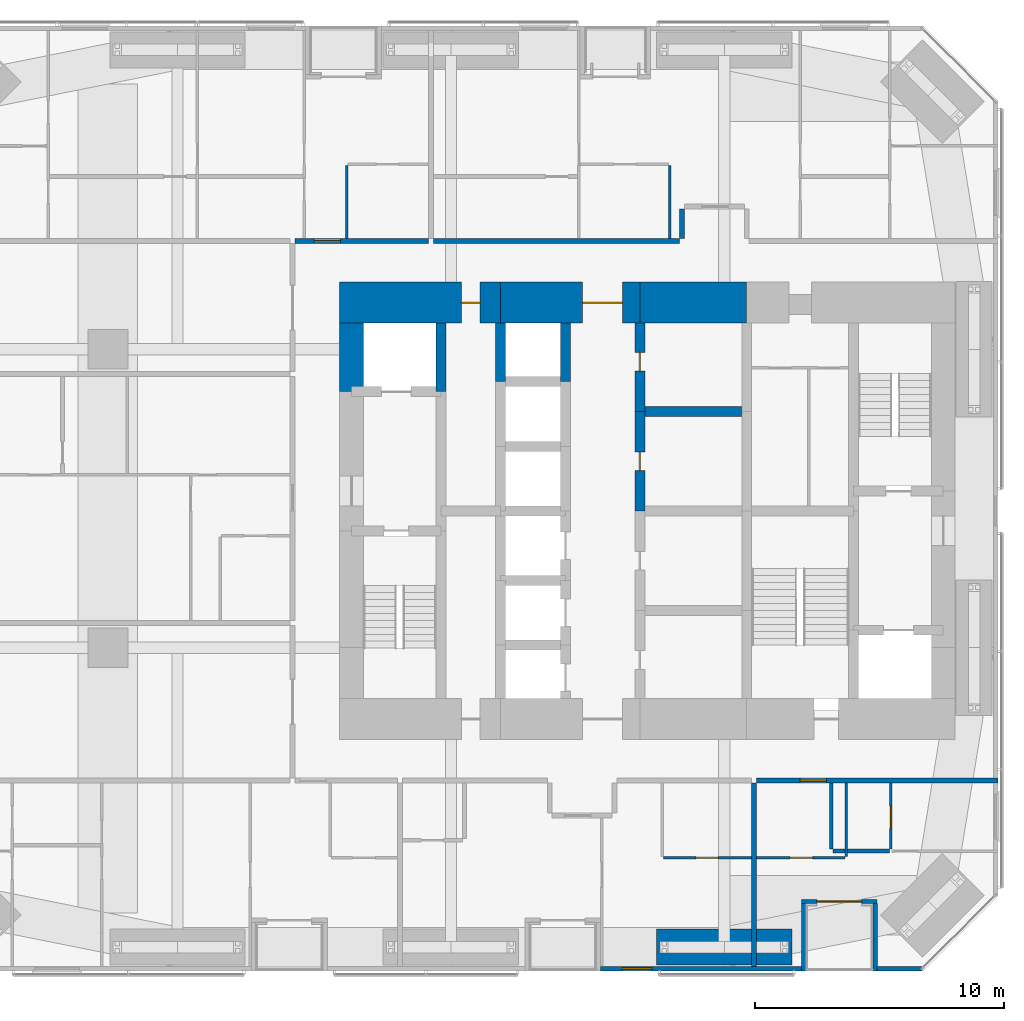
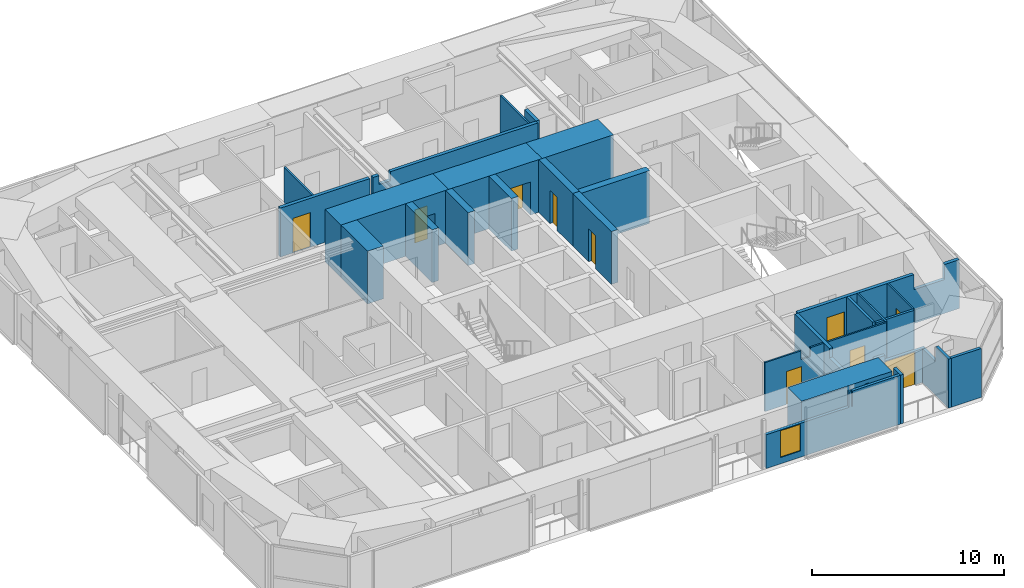
# One storey, part 19 of 23: 30 walls, 10 doors, 1 window, 11 openings.
"""IFC4 building model written with IfcOpenShell, lengths in metres."""

from ifc_helpers import new_model, si_unit, direction, frame, frame_2d, origin, place, context, subcontext, project, spatial, polyline, rectangle, outline, extrude, material, layer, layer_set, constituent, constituent_set, type_object, element, fill, save


model = new_model("IFC4")

# Units and contexts
model_context = context("Model", 3, precision=1e-05, world=origin(), true_north=direction((0.0, 1.0)))
body_context = subcontext(model_context, "Body", "Model", "MODEL_VIEW")
ifc_project = project(units=[si_unit("LENGTHUNIT", "METRE"), si_unit("AREAUNIT", "SQUARE_METRE"), si_unit("VOLUMEUNIT", "CUBIC_METRE"), si_unit("PLANEANGLEUNIT", "RADIAN"), si_unit("MASSUNIT", "GRAM", prefix="KILO")], contexts=[model_context])

# Site, building, storey
site_placement = place(None, origin())
site = spatial("IfcSite", under=ifc_project, at=site_placement, CompositionType="ELEMENT")
building_placement = place(site_placement, origin())
building = spatial("IfcBuilding", under=site, at=building_placement, Name="Jalousie Tower", CompositionType="ELEMENT")
storey_placement = place(building_placement, frame((0.0, 0.0, 34.39990234375)))
storey = spatial("IfcBuildingStorey", under=building, at=storey_placement, Name="L08", CompositionType="ELEMENT", Elevation=34.39990234375)

# Walls
ifc_material_1 = material(Name="Concrete block ASTM C90", Category="concrete")
ifc_constituent_1 = constituent(ifc_material_1, Name="Body")
ifc_material_2 = material(Name="Render")
ifc_constituent_2 = constituent(ifc_material_2, Name="Finish")
ifc_constituent_set_1 = constituent_set(constituents=[ifc_constituent_1, ifc_constituent_2])
wall_type_1 = type_object("IfcWallType", Name="BATHROOM WALL 150", PredefinedType="PLUMBINGWALL", material=ifc_constituent_set_1)
wall_1_placement = place(storey_placement, frame((39.375, 4.8173828125, 0.0), z_axis=(0.0, 0.0, 1.0), x_axis=(1.0, 0.0, 0.0)))
element("IfcWall", 1, at=wall_1_placement, inside=storey, type_object=wall_type_1, Name="Bathroom Wall 150 L08", PredefinedType="PLUMBINGWALL", context=body_context, shape_type="SweptSolid", body=[
    extrude(rectangle(XDim=2.27490234375, YDim=0.14990234375, at=frame_2d((1.137451171875, 0.0))), origin(), (0.0, 0.0, 1.0), 3.110107421875),
])
wall_2_placement = place(storey_placement, frame((39.300048828125, 4.892333984375, 0.0), z_axis=(0.0, 0.0, 1.0), x_axis=(0.0, 1.0, 0.0)))
element("IfcWall", 2, at=wall_2_placement, inside=storey, type_object=wall_type_1, Name="Bathroom Wall 150 L08", PredefinedType="PLUMBINGWALL", context=body_context, shape_type="SweptSolid", body=[
    extrude(rectangle(XDim=2.65771484375, YDim=0.14990234375, at=frame_2d((1.328857421875, 0.0))), origin(), (0.0, 0.0, 1.0), 3.110107421875),
])
ifc_material_3 = material(Name="Concrete f'c 120 MPa", Category="concrete")
ifc_layer_1 = layer(ifc_material_3, 1.64990234375)
ifc_layer_set_1 = layer_set([ifc_layer_1], Name="Concrete f'c 120 MPa")
wall_type_2 = type_object("IfcWallType", Name="CORE WALL 1650", PredefinedType="SHEAR", material=ifc_layer_set_1)
wall_3_placement = place(storey_placement, frame((35.89990234375, 26.875, 0.0), z_axis=(0.0, 0.0, 1.0), x_axis=(-1.0, 0.0, 0.0)))
element("IfcWall", 3, at=wall_3_placement, inside=storey, type_object=wall_type_2, Name="Core wall NB L08", PredefinedType="SHEAR", context=body_context, shape_type="SweptSolid", body=[
    extrude(rectangle(XDim=4.2998046875, YDim=1.64990234375, at=frame_2d((2.14990234375, 0.0))), origin(), (0.0, 0.0, 1.0), 3.35009765625),
])

# Wall, opening, door
wall_4_placement = place(storey_placement, frame((31.60009765625, 26.875, 0.0), z_axis=(0.0, 0.0, 1.0), x_axis=(-1.0, 0.0, 0.0)))
wall_4 = element("IfcWall", 4, at=wall_4_placement, inside=storey, type_object=wall_type_2, Name="Core wall NC L08", PredefinedType="SHEAR", context=body_context, shape_type="SweptSolid", body=[
    extrude(rectangle(XDim=5.60009765625, YDim=1.64990234375, at=frame_2d((2.800048828125, 0.0))), origin(), (0.0, 0.0, 1.0), 3.35009765625),
])
opening_1_placement = place(wall_4_placement, frame((0.699951171875, 0.0, 0.0)))
opening_1 = element("IfcOpeningElement", 5, at=opening_1_placement, cuts=wall_4, Name="Opening D15", PredefinedType="OPENING", context=body_context, shape_type="SweptSolid", body=[
    extrude(rectangle(XDim=1.60009765625, YDim=2.10009765625, at=frame_2d((0.800048828125, 1.050048828125))), frame((0.0, 0.8349609375, 0.0), z_axis=(0.0, -1.0, 0.0), x_axis=(1.0, 0.0, 0.0)), (0.0, 0.0, 1.0), 1.669921875),
])
ifc_material_4 = material(Name="Steel fire door", Category="steel")
door_type_1 = type_object("IfcDoorType", Name="LIFT LOBBY DOOR 1600", OperationType="DOUBLE_DOOR_SINGLE_SWING", PredefinedType="DOOR", material=ifc_material_4)
door_1_placement = place(opening_1_placement, origin())
door_1 = element("IfcDoor", 6, at=door_1_placement, inside=storey, type_object=door_type_1, Name="Lift lobby north door", OperationType="DOUBLE_DOOR_SINGLE_SWING", OverallHeight=2.10009765625, OverallWidth=1.60009765625, PredefinedType="DOOR", context=body_context, shape_type="SweptSolid", body=[
    extrude(rectangle(XDim=1.60009765625, YDim=2.10009765625, at=frame_2d((0.800048828125, 1.050048828125))), frame((0.0, 0.02490234375, 0.0), z_axis=(0.0, -1.0, 0.0), x_axis=(1.0, 0.0, 0.0)), (0.0, 0.0, 1.0), 0.050048828125),
])
fill(opening_1, door_1)

wall_5_placement = place(storey_placement, frame((26.0, 26.875, 0.0), z_axis=(0.0, 0.0, 1.0), x_axis=(-1.0, 0.0, 0.0)))
wall_5 = element("IfcWall", 7, at=wall_5_placement, inside=storey, type_object=wall_type_2, Name="Core wall ND L08", PredefinedType="SHEAR", context=body_context, shape_type="SweptSolid", body=[
    extrude(rectangle(XDim=6.47509765625, YDim=1.64990234375, at=frame_2d((3.237548828125, 0.0))), origin(), (0.0, 0.0, 1.0), 3.35009765625),
])
opening_2_placement = place(wall_5_placement, frame((0.824951171875, 0.0, 0.0)))
opening_2 = element("IfcOpeningElement", 8, at=opening_2_placement, cuts=wall_5, Name="Opening D16", PredefinedType="OPENING", context=body_context, shape_type="SweptSolid", body=[
    extrude(rectangle(XDim=0.75, YDim=2.10009765625, at=frame_2d((0.375, 1.050048828125))), frame((0.0, 0.8349609375, 0.0), z_axis=(0.0, -1.0, 0.0), x_axis=(1.0, 0.0, 0.0)), (0.0, 0.0, 1.0), 1.669921875),
])
ifc_material_5 = material(Name="Steel fire door", Category="steel")
door_type_2 = type_object("IfcDoorType", Name="RISER DOOR 750", OperationType="SINGLE_SWING_LEFT", PredefinedType="DOOR", material=ifc_material_5)
door_2_placement = place(opening_2_placement, origin())
door_2 = element("IfcDoor", 9, at=door_2_placement, inside=storey, type_object=door_type_2, Name="North riser door", OperationType="SINGLE_SWING_RIGHT", OverallHeight=2.10009765625, OverallWidth=0.75, PredefinedType="DOOR", context=body_context, shape_type="SweptSolid", body=[
    extrude(rectangle(XDim=0.75, YDim=2.10009765625, at=frame_2d((0.375, 1.050048828125))), frame((0.0, 0.02490234375, 0.0), z_axis=(0.0, -1.0, 0.0), x_axis=(1.0, 0.0, 0.0)), (0.0, 0.0, 1.0), 0.050048828125),
])
fill(opening_2, door_2)

# Walls
ifc_material_6 = material(Name="Concrete f'c 120 MPa", Category="concrete")
ifc_layer_2 = layer(ifc_material_6, 0.39990234375)
ifc_layer_set_2 = layer_set([ifc_layer_2], Name="Concrete f'c 120 MPa")
wall_type_3 = type_object("IfcWallType", Name="CORE WALL 400", PredefinedType="SHEAR", material=ifc_layer_set_2)
wall_6_placement = place(storey_placement, frame((23.60009765625, 23.300048828125, 0.0), z_axis=(0.0, 0.0, 1.0), x_axis=(0.0, 1.0, 0.0)))
element("IfcWall", 10, at=wall_6_placement, inside=storey, type_object=wall_type_3, Name="Core wall X23.6C L08", PredefinedType="SHEAR", context=body_context, shape_type="SweptSolid", body=[
    extrude(rectangle(XDim=2.75, YDim=0.39990234375, at=frame_2d((1.375, 0.0))), origin(), (0.0, 0.0, 1.0), 3.35009765625),
])
for number, where, z_axis, x_axis, name in (
    (11, (26.0, 23.699951171875, 0.0), (0.0, 0.0, 1.0), (0.0, 1.0, 0.0), "Core wall X26F L08"),
    (12, (28.60009765625, 23.699951171875, 0.0), (0.0, 0.0, 1.0), (0.0, 1.0, 0.0), "Core wall X28.6F L08"),
):
    element("IfcWall", number, at=place(storey_placement, frame(where, z_axis=z_axis, x_axis=x_axis)), inside=storey, type_object=wall_type_3, Name=name, PredefinedType="SHEAR", context=body_context, shape_type="SweptSolid", body=[
        extrude(rectangle(XDim=2.35009765625, YDim=0.39990234375, at=frame_2d((1.175048828125, 0.0))), origin(), (0.0, 0.0, 1.0), 3.35009765625),
    ])

# Wall, opening, door
wall_7_placement = place(storey_placement, frame((31.60009765625, 18.5, 0.0), z_axis=(0.0, 0.0, 1.0), x_axis=(0.0, 1.0, 0.0)))
wall_7 = element("IfcWall", 13, at=wall_7_placement, inside=storey, type_object=wall_type_3, Name="Core wall X31.6C L08", PredefinedType="SHEAR", context=body_context, shape_type="SweptSolid", body=[
    extrude(rectangle(XDim=4.0, YDim=0.39990234375, at=frame_2d((2.0, 0.0))), origin(), (0.0, 0.0, 1.0), 3.35009765625),
])
opening_3_placement = place(wall_7_placement, frame((1.625, 0.0, 0.0)))
opening_3 = element("IfcOpeningElement", 14, at=opening_3_placement, cuts=wall_7, Name="Opening D16", PredefinedType="OPENING", context=body_context, shape_type="SweptSolid", body=[
    extrude(rectangle(XDim=0.75, YDim=2.10009765625, at=frame_2d((0.375, 1.050048828125))), frame((0.0, 0.2099609375, 0.0), z_axis=(0.0, -1.0, 0.0), x_axis=(1.0, 0.0, 0.0)), (0.0, 0.0, 1.0), 0.419921875),
])
door_3_placement = place(opening_3_placement, frame((0.75, 0.0, 0.0), z_axis=(0.0, 0.0, 1.0), x_axis=(-1.0, 0.0, 0.0)))
door_3 = element("IfcDoor", 15, at=door_3_placement, inside=storey, type_object=door_type_2, Name="Telecom Room door", OperationType="SINGLE_SWING_LEFT", OverallHeight=2.10009765625, OverallWidth=0.75, PredefinedType="DOOR", context=body_context, shape_type="SweptSolid", body=[
    extrude(rectangle(XDim=0.75, YDim=2.10009765625, at=frame_2d((0.375, 1.050048828125))), frame((0.0, 0.02490234375, 0.0), z_axis=(0.0, -1.0, 0.0), x_axis=(1.0, 0.0, 0.0)), (0.0, 0.0, 1.0), 0.050048828125),
])
fill(opening_3, door_3)

wall_8_placement = place(storey_placement, frame((31.60009765625, 22.5, 0.0), z_axis=(0.0, 0.0, 1.0), x_axis=(0.0, 1.0, 0.0)))
wall_8 = element("IfcWall", 16, at=wall_8_placement, inside=storey, type_object=wall_type_3, Name="Core wall X31.6D L08", PredefinedType="SHEAR", context=body_context, shape_type="SweptSolid", body=[
    extrude(rectangle(XDim=3.550048828125, YDim=0.39990234375, at=frame_2d((1.77490234375, 0.0))), origin(), (0.0, 0.0, 1.0), 3.35009765625),
])
opening_4_placement = place(wall_8_placement, frame((1.625, 0.0, 0.0)))
opening_4 = element("IfcOpeningElement", 17, at=opening_4_placement, cuts=wall_8, Name="Opening D16", PredefinedType="OPENING", context=body_context, shape_type="SweptSolid", body=[
    extrude(rectangle(XDim=0.75, YDim=2.10009765625, at=frame_2d((0.375, 1.050048828125))), frame((0.0, 0.2099609375, 0.0), z_axis=(0.0, -1.0, 0.0), x_axis=(1.0, 0.0, 0.0)), (0.0, 0.0, 1.0), 0.419921875),
])
door_4_placement = place(opening_4_placement, frame((0.75, 0.0, 0.0), z_axis=(0.0, 0.0, 1.0), x_axis=(-1.0, 0.0, 0.0)))
door_4 = element("IfcDoor", 18, at=door_4_placement, inside=storey, type_object=door_type_2, Name="Water Services Room door", OperationType="SINGLE_SWING_LEFT", OverallHeight=2.10009765625, OverallWidth=0.75, PredefinedType="DOOR", context=body_context, shape_type="SweptSolid", body=[
    extrude(rectangle(XDim=0.75, YDim=2.10009765625, at=frame_2d((0.375, 1.050048828125))), frame((0.0, 0.02490234375, 0.0), z_axis=(0.0, -1.0, 0.0), x_axis=(1.0, 0.0, 0.0)), (0.0, 0.0, 1.0), 0.050048828125),
])
fill(opening_4, door_4)

# Walls
wall_9_placement = place(storey_placement, frame((31.60009765625, 22.5, 0.0), z_axis=(0.0, 0.0, 1.0), x_axis=(1.0, 0.0, 0.0)))
element("IfcWall", 19, at=wall_9_placement, inside=storey, type_object=wall_type_3, Name="Core wall Y31.6-22.5 L08", PredefinedType="SHEAR", context=body_context, shape_type="SweptSolid", body=[
    extrude(rectangle(XDim=4.2998046875, YDim=0.39990234375, at=frame_2d((2.14990234375, 0.0))), origin(), (0.0, 0.0, 1.0), 3.35009765625),
])
ifc_material_7 = material(Name="Concrete f'c 120 MPa", Category="concrete")
ifc_layer_3 = layer(ifc_material_7, 0.949951171875)
ifc_layer_set_3 = layer_set([ifc_layer_3], Name="Concrete f'c 120 MPa")
wall_type_4 = type_object("IfcWallType", Name="CORE WALL 950", PredefinedType="SHEAR", material=ifc_layer_set_3)
wall_10_placement = place(storey_placement, frame((20.0, 26.050048828125, 0.0), z_axis=(0.0, 0.0, 1.0), x_axis=(0.0, -1.0, 0.0)))
element("IfcWall", 20, at=wall_10_placement, inside=storey, type_object=wall_type_4, Name="Core wall WA L08", PredefinedType="SHEAR", context=body_context, shape_type="SweptSolid", body=[
    extrude(rectangle(XDim=2.75, YDim=0.949951171875, at=frame_2d((1.375, 0.0))), origin(), (0.0, 0.0, 1.0), 3.35009765625),
])

# Wall, opening, door
ifc_material_8 = material(Name="Concrete block ASTM C90", Category="concrete")
ifc_constituent_3 = constituent(ifc_material_8, Name="Body")
ifc_material_9 = material(Name="Render")
ifc_constituent_4 = constituent(ifc_material_9, Name="Finish")
ifc_constituent_set_2 = constituent_set(constituents=[ifc_constituent_3, ifc_constituent_4])
wall_type_5 = type_object("IfcWallType", Name="CORRIDOR WALL 200", PredefinedType="PARTITIONING", material=ifc_constituent_set_2)
wall_11_placement = place(storey_placement, frame((36.300048828125, 7.64990234375, 0.0), z_axis=(0.0, 0.0, 1.0), x_axis=(1.0, 0.0, 0.0)))
wall_11 = element("IfcWall", 21, at=wall_11_placement, inside=storey, type_object=wall_type_5, Name="Corridor Wall 200 L08", PredefinedType="PARTITIONING", context=body_context, shape_type="SweptSolid", body=[
    extrude(outline(polyline([(0.0, 0.0), (9.699951171875, 0.0), (9.699951171875, 3.110107421875), (8.80419921875, 3.110107421875), (8.80419921875, 2.150146484375), (6.96044921875, 2.150146484375), (6.96044921875, 3.110107421875), (0.0, 3.110107421875), (0.0, 0.0)])), frame((0.0, 0.10009765625, 0.0), z_axis=(0.0, -1.0, 0.0), x_axis=(1.0, 0.0, 0.0)), (0.0, 0.0, 1.0), 0.199951171875),
])
opening_5_placement = place(wall_11_placement, frame((1.75, 0.0, 0.0)))
opening_5 = element("IfcOpeningElement", 22, at=opening_5_placement, cuts=wall_11, Name="Opening D1", PredefinedType="OPENING", context=body_context, shape_type="SweptSolid", body=[
    extrude(rectangle(XDim=1.050048828125, YDim=2.199951171875, at=frame_2d((0.52490234375, 1.10009765625))), frame((0.0, 0.10986328125, 0.0), z_axis=(0.0, -1.0, 0.0), x_axis=(1.0, 0.0, 0.0)), (0.0, 0.0, 1.0), 0.219970703125),
])
ifc_material_10 = material(Name="Timber fire door", Category="wood")
door_type_3 = type_object("IfcDoorType", Name="APARTMENT ENTRANCE DOOR 1050", OperationType="SINGLE_SWING_LEFT", PredefinedType="DOOR", material=ifc_material_10)
door_5_placement = place(opening_5_placement, frame((1.050048828125, 0.0, 0.0), z_axis=(0.0, 0.0, 1.0), x_axis=(-1.0, 0.0, 0.0)))
door_5 = element("IfcDoor", 23, at=door_5_placement, inside=storey, type_object=door_type_3, Name="Apartment 0803 entrance", OperationType="SINGLE_SWING_LEFT", OverallHeight=2.199951171875, OverallWidth=1.050048828125, PredefinedType="DOOR", context=body_context, shape_type="SweptSolid", body=[
    extrude(rectangle(XDim=1.050048828125, YDim=2.199951171875, at=frame_2d((0.52490234375, 1.10009765625))), frame((0.0, 0.02490234375, 0.0), z_axis=(0.0, -1.0, 0.0), x_axis=(1.0, 0.0, 0.0)), (0.0, 0.0, 1.0), 0.050048828125),
])
fill(opening_5, door_5)

wall_12_placement = place(storey_placement, frame((17.72509765625, 29.35009765625, 0.0), z_axis=(0.0, 0.0, 1.0), x_axis=(1.0, 0.0, 0.0)))
wall_12 = element("IfcWall", 24, at=wall_12_placement, inside=storey, type_object=wall_type_5, Name="Corridor Wall 200 L08", PredefinedType="PARTITIONING", context=body_context, shape_type="SweptSolid", body=[
    extrude(rectangle(XDim=5.375, YDim=0.199951171875, at=frame_2d((2.6875, 0.0))), origin(), (0.0, 0.0, 1.0), 3.110107421875),
])
opening_6_placement = place(wall_12_placement, frame((0.77490234375, 0.0, 0.0)))
opening_6 = element("IfcOpeningElement", 25, at=opening_6_placement, cuts=wall_12, Name="Opening D1", PredefinedType="OPENING", context=body_context, shape_type="SweptSolid", body=[
    extrude(rectangle(XDim=1.050048828125, YDim=2.199951171875, at=frame_2d((0.52490234375, 1.10009765625))), frame((0.0, 0.10986328125, 0.0), z_axis=(0.0, -1.0, 0.0), x_axis=(1.0, 0.0, 0.0)), (0.0, 0.0, 1.0), 0.219970703125),
])
door_6_placement = place(opening_6_placement, origin())
door_6 = element("IfcDoor", 26, at=door_6_placement, inside=storey, type_object=door_type_3, Name="Apartment 0804 entrance", OperationType="SINGLE_SWING_RIGHT", OverallHeight=2.199951171875, OverallWidth=1.050048828125, PredefinedType="DOOR", context=body_context, shape_type="SweptSolid", body=[
    extrude(rectangle(XDim=1.050048828125, YDim=2.199951171875, at=frame_2d((0.52490234375, 1.10009765625))), frame((0.0, 0.02490234375, 0.0), z_axis=(0.0, -1.0, 0.0), x_axis=(1.0, 0.0, 0.0)), (0.0, 0.0, 1.0), 0.050048828125),
])
fill(opening_6, door_6)

# Walls
wall_13_placement = place(storey_placement, frame((23.300048828125, 29.35009765625, 0.0), z_axis=(0.0, 0.0, 1.0), x_axis=(1.0, 0.0, 0.0)))
element("IfcWall", 27, at=wall_13_placement, inside=storey, type_object=wall_type_5, Name="Corridor Wall 200 L08", PredefinedType="PARTITIONING", context=body_context, shape_type="SweptSolid", body=[
    extrude(outline(polyline([(0.0, 0.0), (9.89990234375, 0.0), (9.89990234375, 3.110107421875), (1.037353515625, 3.110107421875), (1.037353515625, 2.541015625), (0.362548828125, 2.541015625), (0.362548828125, 3.110107421875), (0.0, 3.110107421875), (0.0, 0.0)])), frame((0.0, 0.10009765625, 0.0), z_axis=(0.0, -1.0, 0.0), x_axis=(1.0, 0.0, 0.0)), (0.0, 0.0, 1.0), 0.199951171875),
])
wall_14_placement = place(storey_placement, frame((33.300048828125, 29.449951171875, 0.0), z_axis=(0.0, 0.0, 1.0), x_axis=(0.0, 1.0, 0.0)))
element("IfcWall", 28, at=wall_14_placement, inside=storey, type_object=wall_type_5, Name="Corridor Wall 200 L08", PredefinedType="PARTITIONING", context=body_context, shape_type="SweptSolid", body=[
    extrude(rectangle(XDim=1.199951171875, YDim=0.199951171875, at=frame_2d((0.60009765625, 0.0))), origin(), (0.0, 0.0, 1.0), 3.110107421875),
])

# Wall, opening, window
ifc_material_11 = material(Name="Concrete f'c 40 MPa", Category="concrete")
ifc_constituent_5 = constituent(ifc_material_11, Name="Body")
ifc_material_12 = material(Name="Render, pastel coral")
ifc_constituent_6 = constituent(ifc_material_12, Name="Finish")
ifc_constituent_set_3 = constituent_set(constituents=[ifc_constituent_5, ifc_constituent_6])
wall_type_6 = type_object("IfcWallType", Name="EXTERNAL WALL 175 CORAL RENDER", PredefinedType="SOLIDWALL", material=ifc_constituent_set_3)
wall_15_placement = place(storey_placement, frame((30.02490234375, 0.08740234375, 0.0), z_axis=(0.0, 0.0, 1.0), x_axis=(1.0, 0.0, 0.0)))
wall_15 = element("IfcWall", 29, at=wall_15_placement, inside=storey, type_object=wall_type_6, Name="External Wall 175 Coral Render L08", PredefinedType="SOLIDWALL", context=body_context, shape_type="SweptSolid", body=[
    extrude(outline(polyline([(0.0, 0.0), (8.0751953125, 0.0), (8.074951171875, 3.110107421875), (5.178955078125, 3.110107421875), (5.178955078125, 2.150146484375), (5.130615234375, 2.150146484375), (5.130615234375, 3.110107421875), (4.97509765625, 3.110107421875), (4.97509765625, 2.150146484375), (0.0, 2.150146484375), (0.0, 0.0)])), frame((0.0, 0.08740234375, 0.0), z_axis=(0.0, -1.0, 0.0), x_axis=(1.0, 0.0, 0.0)), (0.0, 0.0, 1.0), 0.175048828125),
])
opening_7_placement = place(wall_15_placement, frame((0.857421875, 0.0, 0.39990234375)))
opening_7 = element("IfcOpeningElement", 30, at=opening_7_placement, cuts=wall_15, Name="Opening W-COR170", PredefinedType="OPENING", context=body_context, shape_type="SweptSolid", body=[
    extrude(rectangle(XDim=1.199951171875, YDim=1.699951171875, at=frame_2d((0.60009765625, 0.85009765625))), frame((0.0, 0.097412109375, 0.0), z_axis=(0.0, -1.0, 0.0), x_axis=(1.0, 0.0, 0.0)), (0.0, 0.0, 1.0), 0.195068359375),
])
ifc_material_13 = material(Name="Aluminium frame, impact-rated glazing", Category="aluminium")
window_type = type_object("IfcWindowType", Name="WINDOW COR 1200x1700", PartitioningType="SINGLE_PANEL", PredefinedType="WINDOW", material=ifc_material_13)
window_placement = place(opening_7_placement, origin())
window = element("IfcWindow", 31, at=window_placement, inside=storey, type_object=window_type, Name="Apartment 0802 dining room window", OverallHeight=1.699951171875, OverallWidth=1.199951171875, PartitioningType="SINGLE_PANEL", PredefinedType="WINDOW", context=body_context, shape_type="SweptSolid", body=[
    extrude(rectangle(XDim=1.199951171875, YDim=1.699951171875, at=frame_2d((0.60009765625, 0.85009765625))), frame((0.0, 0.030029296875, 0.0), z_axis=(0.0, -1.0, 0.0), x_axis=(1.0, 0.0, 0.0)), (0.0, 0.0, 1.0), 0.06005859375),
])
fill(opening_7, window)

# Walls
wall_16_placement = place(storey_placement, frame((41.14990234375, 0.08740234375, 0.0), z_axis=(0.0, 0.0, 1.0), x_axis=(1.0, 0.0, 0.0)))
element("IfcWall", 32, at=wall_16_placement, inside=storey, type_object=wall_type_6, Name="External Wall 175 Coral Render L08", PredefinedType="SOLIDWALL", context=body_context, shape_type="SweptSolid", body=[
    extrude(rectangle(XDim=1.798828125, YDim=0.175048828125, at=frame_2d((0.8994140625, 0.0))), origin(), (0.0, 0.0, 1.0), 3.110107421875),
])
wall_17_placement = place(storey_placement, frame((38.10009765625, 2.78759765625, 0.0), z_axis=(0.0, 0.0, 1.0), x_axis=(1.0, 0.0, 0.0)))
element("IfcWall", 33, at=wall_17_placement, inside=storey, type_object=wall_type_6, Name="External Wall 175 Coral Render L08-A", PredefinedType="SOLIDWALL", context=body_context, shape_type="SweptSolid", body=[
    extrude(rectangle(XDim=0.625, YDim=0.175048828125, at=frame_2d((0.3125, 0.0))), origin(), (0.0, 0.0, 1.0), 2.510009765625),
])

# Wall, opening, door
wall_18_placement = place(storey_placement, frame((38.72509765625, 2.78759765625, 0.0), z_axis=(0.0, 0.0, 1.0), x_axis=(1.0, 0.0, 0.0)))
wall_18 = element("IfcWall", 34, at=wall_18_placement, inside=storey, type_object=wall_type_6, Name="External Wall 175 Coral Render L08-B", PredefinedType="SOLIDWALL", context=body_context, shape_type="SweptSolid", body=[
    extrude(rectangle(XDim=2.4248046875, YDim=0.175048828125, at=frame_2d((1.21240234375, 0.0))), origin(), (0.0, 0.0, 1.0), 2.150146484375),
])
opening_8_placement = place(wall_18_placement, origin())
opening_8 = element("IfcOpeningElement", 35, at=opening_8_placement, cuts=wall_18, Name="Opening D-BAL21", PredefinedType="OPENING", context=body_context, shape_type="SweptSolid", body=[
    extrude(rectangle(XDim=1.800048828125, YDim=2.10009765625, at=frame_2d((0.89990234375, 1.050048828125))), frame((0.0, 0.097412109375, 0.0), z_axis=(0.0, -1.0, 0.0), x_axis=(1.0, 0.0, 0.0)), (0.0, 0.0, 1.0), 0.195068359375),
])
ifc_material_14 = material(Name="Aluminium frame, impact-rated glazing", Category="aluminium")
door_type_4 = type_object("IfcDoorType", Name="BALCONY DOOR 1800x2100", OperationType="SLIDING_TO_LEFT", PredefinedType="DOOR", material=ifc_material_14)
door_7_placement = place(opening_8_placement, origin())
door_7 = element("IfcDoor", 36, at=door_7_placement, inside=storey, type_object=door_type_4, Name="Apartment 0803 living and dining room loggia door", OperationType="SLIDING_TO_LEFT", OverallHeight=2.10009765625, OverallWidth=1.800048828125, PredefinedType="DOOR", context=body_context, shape_type="SweptSolid", body=[
    extrude(rectangle(XDim=1.800048828125, YDim=2.10009765625, at=frame_2d((0.89990234375, 1.050048828125))), frame((0.0, 0.02490234375, 0.0), z_axis=(0.0, -1.0, 0.0), x_axis=(1.0, 0.0, 0.0)), (0.0, 0.0, 1.0), 0.050048828125),
])
fill(opening_8, door_7)

# Walls
wall_19_placement = place(storey_placement, frame((38.1875, 0.0, 0.0), z_axis=(0.0, 0.0, 1.0), x_axis=(0.0, 1.0, 0.0)))
element("IfcWall", 37, at=wall_19_placement, inside=storey, type_object=wall_type_6, Name="External Wall 175 Coral Render L08", PredefinedType="SOLIDWALL", context=body_context, shape_type="SweptSolid", body=[
    extrude(outline(polyline([(0.0, 0.0), (2.699951171875, 0.0), (2.699951171875, 2.510009765625), (2.424072265625, 2.510009765625), (2.424072265625, 2.150146484375), (0.7568359375, 2.150146484375), (0.7568359375, 3.110107421875), (0.0, 3.110107421875), (0.0, 0.0)])), frame((0.0, 0.08740234375, 0.0), z_axis=(0.0, -1.0, 0.0), x_axis=(1.0, 0.0, 0.0)), (0.0, 0.0, 1.0), 0.175048828125),
])
wall_20_placement = place(storey_placement, frame((41.0625, 0.0, 0.0), z_axis=(0.0, 0.0, 1.0), x_axis=(0.0, 1.0, 0.0)))
element("IfcWall", 38, at=wall_20_placement, inside=storey, type_object=wall_type_6, Name="External Wall 175 Coral Render L08", PredefinedType="SOLIDWALL", context=body_context, shape_type="SweptSolid", body=[
    extrude(outline(polyline([(0.0, 0.0), (2.699951171875, 0.0), (2.699951171875, 2.150146484375), (1.33447265625, 2.150146484375), (1.33447265625, 3.110107421875), (0.0, 3.110107421875), (0.0, 0.0)])), frame((0.0, 0.08740234375, 0.0), z_axis=(0.0, -1.0, 0.0), x_axis=(1.0, 0.0, 0.0)), (0.0, 0.0, 1.0), 0.175048828125),
])

# Wall, opening, door
ifc_material_15 = material(Name="Gypsum board", Category="gypsum")
ifc_constituent_7 = constituent(ifc_material_15, Name="Body")
ifc_material_16 = material(Name="Light-gauge steel studs ASTM A653 SS Grade 33", Category="steel")
ifc_constituent_8 = constituent(ifc_material_16, Name="Framing")
ifc_constituent_set_4 = constituent_set(constituents=[ifc_constituent_7, ifc_constituent_8])
wall_type_7 = type_object("IfcWallType", Name="PARTITION 100", PredefinedType="PARTITIONING", material=ifc_constituent_set_4)
wall_21_placement = place(storey_placement, frame((32.550048828125, 4.550048828125, 0.0), z_axis=(0.0, 0.0, 1.0), x_axis=(1.0, 0.0, 0.0)))
wall_21 = element("IfcWall", 39, at=wall_21_placement, inside=storey, type_object=wall_type_7, Name="Partition 100 L08", PredefinedType="PARTITIONING", context=body_context, shape_type="SweptSolid", body=[
    extrude(outline(polyline([(0.0, 0.0), (3.550048828125, 0.0), (3.550048828125, 3.110107421875), (2.7373046875, 3.110107421875), (2.7373046875, 2.541015625), (2.16259765625, 2.541015625), (2.16259765625, 3.110107421875), (0.0, 3.110107421875), (0.0, 0.0)])), frame((0.0, 0.050048828125, 0.0), z_axis=(0.0, -1.0, 0.0), x_axis=(1.0, 0.0, 0.0)), (0.0, 0.0, 1.0), 0.10009765625),
])
opening_9_placement = place(wall_21_placement, frame((1.300048828125, 0.0, 0.0)))
opening_9 = element("IfcOpeningElement", 40, at=opening_9_placement, cuts=wall_21, Name="Opening D7", PredefinedType="OPENING", context=body_context, shape_type="SweptSolid", body=[
    extrude(rectangle(XDim=0.89990234375, YDim=2.10009765625, at=frame_2d((0.449951171875, 1.050048828125))), frame((0.0, 0.06005859375, 0.0), z_axis=(0.0, -1.0, 0.0), x_axis=(1.0, 0.0, 0.0)), (0.0, 0.0, 1.0), 0.1201171875),
])
ifc_material_17 = material(Name="Timber door", Category="wood")
door_type_5 = type_object("IfcDoorType", Name="INTERNAL DOOR 900", OperationType="SINGLE_SWING_LEFT", PredefinedType="DOOR", material=ifc_material_17)
door_8_placement = place(opening_9_placement, frame((0.89990234375, 0.0, 0.0), z_axis=(0.0, 0.0, 1.0), x_axis=(-1.0, 0.0, 0.0)))
door_8 = element("IfcDoor", 41, at=door_8_placement, inside=storey, type_object=door_type_5, Name="Apartment 0802 kitchen door", OperationType="SINGLE_SWING_LEFT", OverallHeight=2.10009765625, OverallWidth=0.89990234375, PredefinedType="DOOR", context=body_context, shape_type="SweptSolid", body=[
    extrude(rectangle(XDim=0.89990234375, YDim=2.10009765625, at=frame_2d((0.449951171875, 1.050048828125))), frame((0.0, 0.02490234375, 0.0), z_axis=(0.0, -1.0, 0.0), x_axis=(1.0, 0.0, 0.0)), (0.0, 0.0, 1.0), 0.050048828125),
])
fill(opening_9, door_8)

wall_22_placement = place(storey_placement, frame((41.699951171875, 4.892333984375, 0.0), z_axis=(0.0, 0.0, 1.0), x_axis=(0.0, 1.0, 0.0)))
wall_22 = element("IfcWall", 42, at=wall_22_placement, inside=storey, type_object=wall_type_7, Name="Partition 100 L08", PredefinedType="PARTITIONING", context=body_context, shape_type="SweptSolid", body=[
    extrude(rectangle(XDim=2.65771484375, YDim=0.10009765625, at=frame_2d((1.328857421875, 0.0))), origin(), (0.0, 0.0, 1.0), 3.110107421875),
])
opening_10_placement = place(wall_22_placement, frame((0.84130859375, 0.0, 0.0)))
opening_10 = element("IfcOpeningElement", 43, at=opening_10_placement, cuts=wall_22, Name="Opening D3", PredefinedType="OPENING", context=body_context, shape_type="SweptSolid", body=[
    extrude(rectangle(XDim=0.89990234375, YDim=2.10009765625, at=frame_2d((0.449951171875, 1.050048828125))), frame((0.0, 0.06005859375, 0.0), z_axis=(0.0, -1.0, 0.0), x_axis=(1.0, 0.0, 0.0)), (0.0, 0.0, 1.0), 0.1201171875),
])
ifc_material_18 = material(Name="Timber door", Category="wood")
door_type_6 = type_object("IfcDoorType", Name="BATHROOM DOOR 900", OperationType="SINGLE_SWING_LEFT", PredefinedType="DOOR", material=ifc_material_18)
door_9_placement = place(opening_10_placement, origin())
door_9 = element("IfcDoor", 44, at=door_9_placement, inside=storey, type_object=door_type_6, Name="Apartment 0803 bedroom 1 bathroom door", OperationType="SINGLE_SWING_LEFT", OverallHeight=2.10009765625, OverallWidth=0.89990234375, PredefinedType="DOOR", context=body_context, shape_type="SweptSolid", body=[
    extrude(rectangle(XDim=0.89990234375, YDim=2.10009765625, at=frame_2d((0.449951171875, 1.050048828125))), frame((0.0, 0.02490234375, 0.0), z_axis=(0.0, -1.0, 0.0), x_axis=(1.0, 0.0, 0.0)), (0.0, 0.0, 1.0), 0.050048828125),
])
fill(opening_10, door_9)

wall_23_placement = place(storey_placement, frame((36.300048828125, 4.550048828125, 0.0), z_axis=(0.0, 0.0, 1.0), x_axis=(1.0, 0.0, 0.0)))
wall_23 = element("IfcWall", 45, at=wall_23_placement, inside=storey, type_object=wall_type_7, Name="Partition 100 L08", PredefinedType="PARTITIONING", context=body_context, shape_type="SweptSolid", body=[
    extrude(rectangle(XDim=3.550048828125, YDim=0.10009765625, at=frame_2d((1.77490234375, 0.0))), origin(), (0.0, 0.0, 1.0), 3.110107421875),
])
opening_11_placement = place(wall_23_placement, frame((1.35009765625, 0.0, 0.0)))
opening_11 = element("IfcOpeningElement", 46, at=opening_11_placement, cuts=wall_23, Name="Opening D7", PredefinedType="OPENING", context=body_context, shape_type="SweptSolid", body=[
    extrude(rectangle(XDim=0.89990234375, YDim=2.10009765625, at=frame_2d((0.449951171875, 1.050048828125))), frame((0.0, 0.06005859375, 0.0), z_axis=(0.0, -1.0, 0.0), x_axis=(1.0, 0.0, 0.0)), (0.0, 0.0, 1.0), 0.1201171875),
])
door_10_placement = place(opening_11_placement, frame((0.89990234375, 0.0, 0.0), z_axis=(0.0, 0.0, 1.0), x_axis=(-1.0, 0.0, 0.0)))
door_10 = element("IfcDoor", 47, at=door_10_placement, inside=storey, type_object=door_type_5, Name="Apartment 0803 kitchen door", OperationType="SINGLE_SWING_RIGHT", OverallHeight=2.10009765625, OverallWidth=0.89990234375, PredefinedType="DOOR", context=body_context, shape_type="SweptSolid", body=[
    extrude(rectangle(XDim=0.89990234375, YDim=2.10009765625, at=frame_2d((0.449951171875, 1.050048828125))), frame((0.0, 0.02490234375, 0.0), z_axis=(0.0, -1.0, 0.0), x_axis=(1.0, 0.0, 0.0)), (0.0, 0.0, 1.0), 0.050048828125),
])
fill(opening_11, door_10)

# Walls
for number, where, z_axis, x_axis, name in (
    (48, (39.89990234375, 4.60009765625, 0.0), (0.0, 0.0, 1.0), (0.0, 1.0, 0.0), "Partition 100 L08"),
    (49, (19.800048828125, 32.39990234375, 0.0), (0.0, 0.0, 1.0), (0.0, -1.0, 0.0), "Partition 100 L08"),
    (50, (32.800048828125, 32.39990234375, 0.0), (0.0, 0.0, 1.0), (0.0, -1.0, 0.0), "Partition 100 L08"),
):
    element("IfcWall", number, at=place(storey_placement, frame(where, z_axis=z_axis, x_axis=x_axis)), inside=storey, type_object=wall_type_7, Name=name, PredefinedType="PARTITIONING", context=body_context, shape_type="SweptSolid", body=[
        extrude(rectangle(XDim=2.949951171875, YDim=0.10009765625, at=frame_2d((1.47509765625, 0.0))), origin(), (0.0, 0.0, 1.0), 3.110107421875),
    ])
ifc_material_19 = material(Name="Concrete block ASTM C90", Category="concrete")
ifc_constituent_9 = constituent(ifc_material_19, Name="Body")
ifc_material_20 = material(Name="Render")
ifc_constituent_10 = constituent(ifc_material_20, Name="Finish")
ifc_constituent_set_5 = constituent_set(constituents=[ifc_constituent_9, ifc_constituent_10])
wall_type_8 = type_object("IfcWallType", Name="PARTY WALL 200", PredefinedType="PARTITIONING", material=ifc_constituent_set_5)
wall_24_placement = place(storey_placement, frame((36.199951171875, 0.175048828125, 0.0), z_axis=(0.0, 0.0, 1.0), x_axis=(0.0, 1.0, 0.0)))
element("IfcWall", 51, at=wall_24_placement, inside=storey, type_object=wall_type_8, Name="Party Wall 200 L08", PredefinedType="PARTITIONING", context=body_context, shape_type="SweptSolid", body=[
    extrude(outline(polyline([(0.087890625, 3.110107421875), (0.0, 3.110107421875), (0.0, 0.0), (0.52880859375, 0.0), (0.52880859375, 0.67724609375), (1.021240234375, 0.67724609375), (1.021240234375, 0.0), (7.375, 0.0), (7.375, 3.110107421875), (3.766357421875, 3.110107421875), (3.766357421875, 2.510009765625), (1.9443359375, 2.510009765625), (1.9443359375, 2.150146484375), (1.021240234375, 2.150146484375), (1.021240234375, 1.472900390625), (0.52880859375, 1.472900390625), (0.52880859375, 2.150146484375), (0.087890625, 2.150146484375), (0.087890625, 3.110107421875)])), frame((0.0, 0.10009765625, 0.0), z_axis=(0.0, -1.0, 0.0), x_axis=(1.0, 0.0, 0.0)), (0.0, 0.0, 1.0), 0.199951171875),
])
ifc_material_21 = material(Name="Concrete f'c 120 MPa", Category="concrete")
ifc_layer_4 = layer(ifc_material_21, 1.449951171875)
ifc_layer_set_4 = layer_set([ifc_layer_4], Name="Concrete f'c 120 MPa")
wall_type_9 = type_object("IfcWallType", Name="RC WALL PIER 1450", PredefinedType="SHEAR", material=ifc_layer_set_4)
wall_25_placement = place(storey_placement, frame((32.27490234375, 0.949951171875, 0.0), z_axis=(0.0, 0.0, 1.0), x_axis=(1.0, 0.0, 0.0)))
element("IfcWall", 52, at=wall_25_placement, inside=storey, type_object=wall_type_9, Name="Wall pier 04 L08", PredefinedType="SHEAR", context=body_context, shape_type="SweptSolid", body=[
    extrude(rectangle(XDim=5.4501953125, YDim=1.449951171875, at=frame_2d((2.72509765625, 0.0))), origin(), (0.0, 0.0, 1.0), 3.35009765625),
])

save(model, "model.ifc")
